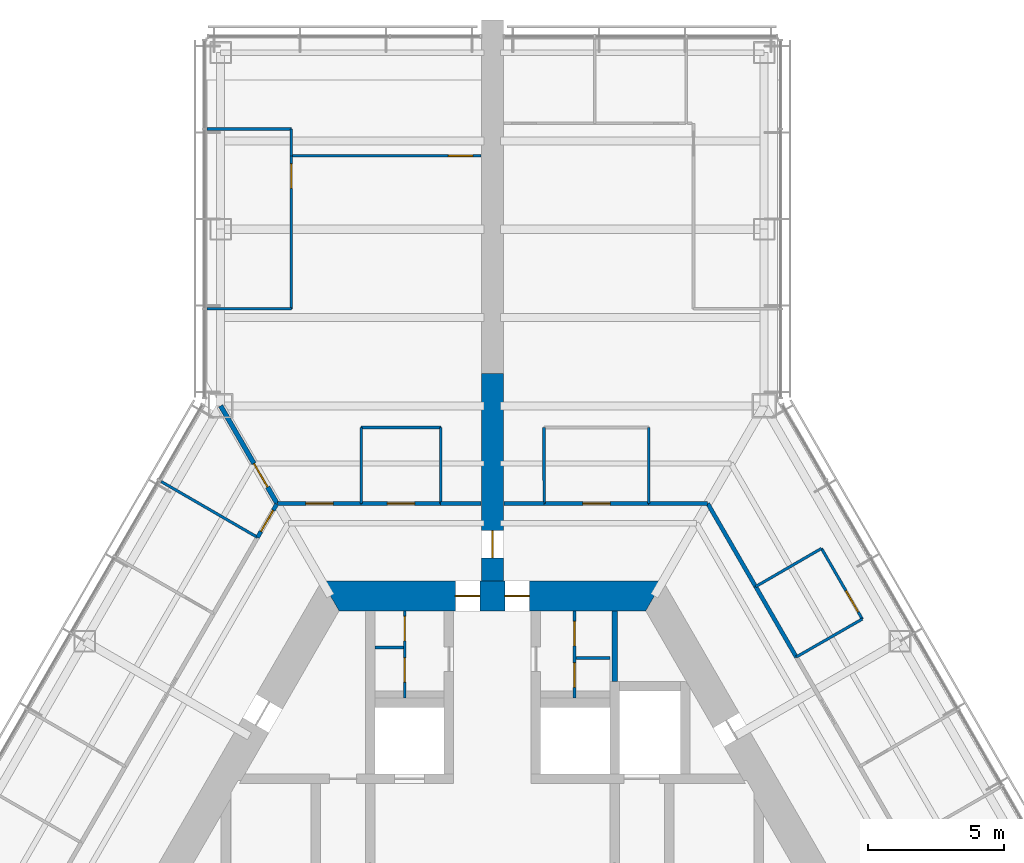
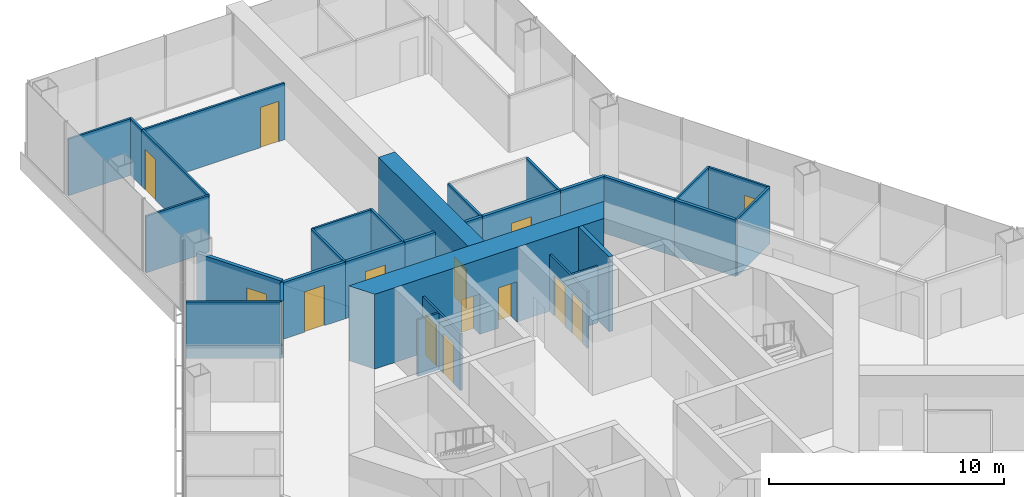
# One storey, part 15 of 19: 31 walls, 15 doors, 15 openings.
"""IFC4 building model written with IfcOpenShell, lengths in metres."""

from ifc_helpers import new_model, si_unit, direction, frame, frame_2d, origin, place, context, subcontext, project, spatial, polyline, rectangle, outline, extrude, material, layer, layer_set, type_object, element, fill, save


model = new_model("IFC4")

# Units and contexts
model_context = context("Model", 3, precision=1e-05, world=origin(), true_north=direction((0.0, 1.0)))
body_context = subcontext(model_context, "Body", "Model", "MODEL_VIEW")
ifc_project = project(units=[si_unit("LENGTHUNIT", "METRE"), si_unit("AREAUNIT", "SQUARE_METRE"), si_unit("VOLUMEUNIT", "CUBIC_METRE"), si_unit("PLANEANGLEUNIT", "RADIAN"), si_unit("MASSUNIT", "GRAM", prefix="KILO")], contexts=[model_context])

# Site, building, storey
site_placement = place(None, origin())
site = spatial("IfcSite", under=ifc_project, at=site_placement, CompositionType="ELEMENT")
building_placement = place(site_placement, origin())
building = spatial("IfcBuilding", under=site, at=building_placement, Name="Kasaneha Research Tower", CompositionType="ELEMENT")
storey_placement = place(building_placement, frame((0.0, 0.0, 104.10009765625)))
storey = spatial("IfcBuildingStorey", under=building, at=storey_placement, Name="L26", CompositionType="ELEMENT", Elevation=104.10009765625)

# Wall, openings, doors
ifc_material_1 = material(Name="Concrete Fc80", Category="concrete")
ifc_layer_1 = layer(ifc_material_1, 1.10009765625)
ifc_layer_set_1 = layer_set([ifc_layer_1], Name="Core wall 1100 Fc80")
wall_type_1 = type_object("IfcWallType", Name="Core wall 1100 Fc80", PredefinedType="SHEAR", material=ifc_layer_set_1)
wall_1_placement = place(storey_placement, frame((5.961181640625, 10.324951171875, 0.0), z_axis=(0.0, 0.0, 1.0), x_axis=(-1.0, 0.0, 0.0)))
wall_1 = element("IfcWall", 1, at=wall_1_placement, inside=storey, type_object=wall_type_1, Name="Core wall 090 L26", PredefinedType="SHEAR", context=body_context, shape_type="SweptSolid", body=[
    extrude(outline(polyline([(-0.317626953125, -0.550048828125), (4.5986328125, -0.550048828125), (5.49853515625, -0.550048828125), (6.423583984375, -0.550048828125), (7.323486328125, -0.550048828125), (12.239990234375, -0.550048828125), (11.604736328125, 0.550048828125), (7.323486328125, 0.550048828125), (6.423583984375, 0.550048828125), (5.49853515625, 0.550048828125), (4.5986328125, 0.550048828125), (0.317626953125, 0.550048828125), (-0.317626953125, -0.550048828125)])), origin(), (0.0, 0.0, 1.0), 3.89990234375),
])
opening_1_placement = place(wall_1_placement, frame((6.423583984375, 0.0, 0.0)))
opening_1 = element("IfcOpeningElement", 2, at=opening_1_placement, cuts=wall_1, Name="Opening L26-D01", PredefinedType="OPENING", context=body_context, shape_type="SweptSolid", body=[
    extrude(rectangle(XDim=0.89990234375, YDim=2.10009765625, at=frame_2d((0.449951171875, 1.050048828125))), frame((0.0, 0.56005859375, 0.0), z_axis=(0.0, -1.0, 0.0), x_axis=(1.0, 0.0, 0.0)), (0.0, 0.0, 1.0), 1.1201171875),
])
opening_2_placement = place(wall_1_placement, frame((4.5986328125, 0.0, 0.0)))
opening_2 = element("IfcOpeningElement", 3, at=opening_2_placement, cuts=wall_1, Name="Opening L26-D02", PredefinedType="OPENING", context=body_context, shape_type="SweptSolid", body=[
    extrude(rectangle(XDim=0.89990234375, YDim=2.10009765625, at=frame_2d((0.449951171875, 1.050048828125))), frame((0.0, 0.56005859375, 0.0), z_axis=(0.0, -1.0, 0.0), x_axis=(1.0, 0.0, 0.0)), (0.0, 0.0, 1.0), 1.1201171875),
])
ifc_material_2 = material(Name="Steel", Category="steel")
door_type_1 = type_object("IfcDoorType", Name="Toilet door FD20 900x2100", OperationType="NOTDEFINED", PredefinedType="DOOR", material=ifc_material_2)
door_1_placement = place(opening_1_placement, origin())
door_1 = element("IfcDoor", 4, at=door_1_placement, inside=storey, type_object=door_type_1, Name="Core door north 1 L26-D01", OperationType="SINGLE_SWING_RIGHT", OverallHeight=2.10009765625, OverallWidth=0.89990234375, PredefinedType="DOOR", context=body_context, shape_type="SweptSolid", body=[
    extrude(rectangle(XDim=0.89990234375, YDim=2.10009765625, at=frame_2d((0.449951171875, 1.050048828125))), frame((0.0, 0.02490234375, 0.0), z_axis=(0.0, -1.0, 0.0), x_axis=(1.0, 0.0, 0.0)), (0.0, 0.0, 1.0), 0.050048828125),
])
fill(opening_1, door_1)
door_2_placement = place(opening_2_placement, origin())
door_2 = element("IfcDoor", 5, at=door_2_placement, inside=storey, type_object=door_type_1, Name="Core door north 2 L26-D02", OperationType="SINGLE_SWING_LEFT", OverallHeight=2.10009765625, OverallWidth=0.89990234375, PredefinedType="DOOR", context=body_context, shape_type="SweptSolid", body=[
    extrude(rectangle(XDim=0.89990234375, YDim=2.10009765625, at=frame_2d((0.449951171875, 1.050048828125))), frame((0.0, 0.02490234375, 0.0), z_axis=(0.0, -1.0, 0.0), x_axis=(1.0, 0.0, 0.0)), (0.0, 0.0, 1.0), 0.050048828125),
])
fill(opening_2, door_2)

ifc_material_3 = material(Name="Gypsum board on steel studs, one layer each side", Category="steel")
ifc_layer_2 = layer(ifc_material_3, 0.10009765625)
ifc_layer_set_2 = layer_set([ifc_layer_2], Name="Office partition 100")
wall_type_2 = type_object("IfcWallType", Name="Office partition 100", PredefinedType="PARTITIONING", material=ifc_layer_set_2)
wall_2_placement = place(storey_placement, frame((-3.22509765625, 6.574951171875, 0.0), z_axis=(0.0, 0.0, 1.0), x_axis=(0.0, 1.0, 0.0)))
wall_2 = element("IfcWall", 6, at=wall_2_placement, inside=storey, type_object=wall_type_2, Name="Office partition TBM1 L26", PredefinedType="PARTITIONING", context=body_context, shape_type="SweptSolid", body=[
    extrude(rectangle(XDim=3.199951171875, YDim=0.10009765625, at=frame_2d((1.60009765625, 0.0))), origin(), (0.0, 0.0, 1.0), 2.949951171875),
])
opening_3_placement = place(wall_2_placement, frame((0.574951171875, 0.0, 0.0)))
opening_3 = element("IfcOpeningElement", 7, at=opening_3_placement, cuts=wall_2, Name="Opening L26-D20", PredefinedType="OPENING", context=body_context, shape_type="SweptSolid", body=[
    extrude(rectangle(XDim=0.89990234375, YDim=2.10009765625, at=frame_2d((0.449951171875, 1.050048828125))), frame((0.0, 0.06005859375, 0.0), z_axis=(0.0, -1.0, 0.0), x_axis=(1.0, 0.0, 0.0)), (0.0, 0.0, 1.0), 0.1201171875),
])
opening_4_placement = place(wall_2_placement, frame((2.10009765625, 0.0, 0.0)))
opening_4 = element("IfcOpeningElement", 8, at=opening_4_placement, cuts=wall_2, Name="Opening L26-D21", PredefinedType="OPENING", context=body_context, shape_type="SweptSolid", body=[
    extrude(rectangle(XDim=0.89990234375, YDim=2.10009765625, at=frame_2d((0.449951171875, 1.050048828125))), frame((0.0, 0.06005859375, 0.0), z_axis=(0.0, -1.0, 0.0), x_axis=(1.0, 0.0, 0.0)), (0.0, 0.0, 1.0), 0.1201171875),
])
ifc_material_4 = material(Name="Steel", Category="steel")
door_type_2 = type_object("IfcDoorType", Name="Toilet lobby door FD30 900x2100", OperationType="NOTDEFINED", PredefinedType="DOOR", material=ifc_material_4)
door_3_placement = place(opening_3_placement, origin())
door_3 = element("IfcDoor", 9, at=door_3_placement, inside=storey, type_object=door_type_2, Name="Men's WC door L26-D20", OperationType="SINGLE_SWING_RIGHT", OverallHeight=2.10009765625, OverallWidth=0.89990234375, PredefinedType="DOOR", context=body_context, shape_type="SweptSolid", body=[
    extrude(rectangle(XDim=0.89990234375, YDim=2.10009765625, at=frame_2d((0.449951171875, 1.050048828125))), frame((0.0, 0.02490234375, 0.0), z_axis=(0.0, -1.0, 0.0), x_axis=(1.0, 0.0, 0.0)), (0.0, 0.0, 1.0), 0.050048828125),
])
fill(opening_3, door_3)
door_4_placement = place(opening_4_placement, origin())
door_4 = element("IfcDoor", 10, at=door_4_placement, inside=storey, type_object=door_type_2, Name="Cleaner's store door L26-D21", OperationType="SINGLE_SWING_RIGHT", OverallHeight=2.10009765625, OverallWidth=0.89990234375, PredefinedType="DOOR", context=body_context, shape_type="SweptSolid", body=[
    extrude(rectangle(XDim=0.89990234375, YDim=2.10009765625, at=frame_2d((0.449951171875, 1.050048828125))), frame((0.0, 0.02490234375, 0.0), z_axis=(0.0, -1.0, 0.0), x_axis=(1.0, 0.0, 0.0)), (0.0, 0.0, 1.0), 0.050048828125),
])
fill(opening_4, door_4)

# Wall
wall_3_placement = place(storey_placement, frame((-3.27490234375, 8.425048828125, 0.0), z_axis=(0.0, 0.0, 1.0), x_axis=(-1.0, 0.0, 0.0)))
element("IfcWall", 11, at=wall_3_placement, inside=storey, type_object=wall_type_2, Name="Office partition TBM2 L26", PredefinedType="PARTITIONING", context=body_context, shape_type="SweptSolid", body=[
    extrude(rectangle(XDim=1.050048828125, YDim=0.10009765625, at=frame_2d((0.52490234375, 0.0))), origin(), (0.0, 0.0, 1.0), 2.949951171875),
])

# Wall, openings, doors
wall_4_placement = place(storey_placement, frame((3.02490234375, 6.574951171875, 0.0), z_axis=(0.0, 0.0, 1.0), x_axis=(0.0, 1.0, 0.0)))
wall_4 = element("IfcWall", 12, at=wall_4_placement, inside=storey, type_object=wall_type_2, Name="Office partition TBF1 L26", PredefinedType="PARTITIONING", context=body_context, shape_type="SweptSolid", body=[
    extrude(rectangle(XDim=3.199951171875, YDim=0.10009765625, at=frame_2d((1.60009765625, 0.0))), origin(), (0.0, 0.0, 1.0), 2.949951171875),
])
opening_5_placement = place(wall_4_placement, frame((0.385009765625, 0.0, 0.0)))
opening_5 = element("IfcOpeningElement", 13, at=opening_5_placement, cuts=wall_4, Name="Opening L26-D22", PredefinedType="OPENING", context=body_context, shape_type="SweptSolid", body=[
    extrude(rectangle(XDim=0.89990234375, YDim=2.10009765625, at=frame_2d((0.449951171875, 1.050048828125))), frame((0.0, 0.06005859375, 0.0), z_axis=(0.0, -1.0, 0.0), x_axis=(1.0, 0.0, 0.0)), (0.0, 0.0, 1.0), 0.1201171875),
])
opening_6_placement = place(wall_4_placement, frame((1.909912109375, 0.0, 0.0)))
opening_6 = element("IfcOpeningElement", 14, at=opening_6_placement, cuts=wall_4, Name="Opening L26-D23", PredefinedType="OPENING", context=body_context, shape_type="SweptSolid", body=[
    extrude(rectangle(XDim=0.89990234375, YDim=2.10009765625, at=frame_2d((0.449951171875, 1.050048828125))), frame((0.0, 0.06005859375, 0.0), z_axis=(0.0, -1.0, 0.0), x_axis=(1.0, 0.0, 0.0)), (0.0, 0.0, 1.0), 0.1201171875),
])
door_5_placement = place(opening_5_placement, origin())
door_5 = element("IfcDoor", 15, at=door_5_placement, inside=storey, type_object=door_type_2, Name="Women's WC door L26-D22", OperationType="SINGLE_SWING_RIGHT", OverallHeight=2.10009765625, OverallWidth=0.89990234375, PredefinedType="DOOR", context=body_context, shape_type="SweptSolid", body=[
    extrude(rectangle(XDim=0.89990234375, YDim=2.10009765625, at=frame_2d((0.449951171875, 1.050048828125))), frame((0.0, 0.02490234375, 0.0), z_axis=(0.0, -1.0, 0.0), x_axis=(1.0, 0.0, 0.0)), (0.0, 0.0, 1.0), 0.050048828125),
])
fill(opening_5, door_5)
door_6_placement = place(opening_6_placement, origin())
door_6 = element("IfcDoor", 16, at=door_6_placement, inside=storey, type_object=door_type_2, Name="Shower room door L26-D23", OperationType="SINGLE_SWING_RIGHT", OverallHeight=2.10009765625, OverallWidth=0.89990234375, PredefinedType="DOOR", context=body_context, shape_type="SweptSolid", body=[
    extrude(rectangle(XDim=0.89990234375, YDim=2.10009765625, at=frame_2d((0.449951171875, 1.050048828125))), frame((0.0, 0.02490234375, 0.0), z_axis=(0.0, -1.0, 0.0), x_axis=(1.0, 0.0, 0.0)), (0.0, 0.0, 1.0), 0.050048828125),
])
fill(opening_6, door_6)

# Walls
wall_5_placement = place(storey_placement, frame((3.074951171875, 8.044921875, 0.0), z_axis=(0.0, 0.0, 1.0), x_axis=(1.0, 0.0, 0.0)))
element("IfcWall", 17, at=wall_5_placement, inside=storey, type_object=wall_type_2, Name="Office partition TBF2 L26", PredefinedType="PARTITIONING", context=body_context, shape_type="SweptSolid", body=[
    extrude(rectangle(XDim=1.25, YDim=0.10009765625, at=frame_2d((0.625, 0.0))), origin(), (0.0, 0.0, 1.0), 2.949951171875),
])
for number, where, z_axis, x_axis, name in (
    (18, (1.904541015625, 13.72509765625, 0.0), (0.0, 0.0, 1.0), (-0.001656781821, 0.999998627536, 0.0), "Office partition FAE10 L26"),
    (19, (5.757080078125, 16.52490234375, 0.0), (0.0, 0.0, 1.0), (-0.001656781821, -0.999998627536, 0.0), "Office partition FAE11 L26"),
):
    element("IfcWall", number, at=place(storey_placement, frame(where, z_axis=z_axis, x_axis=x_axis)), inside=storey, type_object=wall_type_2, Name=name, PredefinedType="PARTITIONING", context=body_context, shape_type="SweptSolid", body=[
        extrude(rectangle(XDim=2.7998046875, YDim=0.10009765625, at=frame_2d((1.39990234375, 0.0))), origin(), (0.0, 0.0, 1.0), 2.949951171875),
    ])
wall_6_placement = place(storey_placement, frame((9.6884765625, 10.669189453125, 0.0), z_axis=(0.0, 0.0, 1.0), x_axis=(0.865233198925, 0.501369635576, 0.0)))
element("IfcWall", 20, at=wall_6_placement, inside=storey, type_object=wall_type_2, Name="Office partition FAE12 L26", PredefinedType="PARTITIONING", context=body_context, shape_type="SweptSolid", body=[
    extrude(rectangle(XDim=2.800048828125, YDim=0.10009765625, at=frame_2d((1.39990234375, 0.0))), origin(), (0.0, 0.0, 1.0), 2.949951171875),
])

# Wall, opening, door
wall_7_placement = place(storey_placement, frame((12.111083984375, 12.072998046875, 0.0), z_axis=(0.0, 0.0, 1.0), x_axis=(0.499990139034, -0.866031096941, 0.0)))
wall_7 = element("IfcWall", 21, at=wall_7_placement, inside=storey, type_object=wall_type_2, Name="Office partition FAE13 L26", PredefinedType="PARTITIONING", context=body_context, shape_type="SweptSolid", body=[
    extrude(rectangle(XDim=3.0, YDim=0.10009765625, at=frame_2d((1.5, 0.0))), origin(), (0.0, 0.0, 1.0), 2.949951171875),
])
opening_7_placement = place(wall_7_placement, frame((1.800048828125, 0.0, 0.0)))
opening_7 = element("IfcOpeningElement", 22, at=opening_7_placement, cuts=wall_7, Name="Opening L26-D30", PredefinedType="OPENING", context=body_context, shape_type="SweptSolid", body=[
    extrude(rectangle(XDim=0.89990234375, YDim=2.10009765625, at=frame_2d((0.449951171875, 1.050048828125))), frame((0.0, 0.06005859375, 0.0), z_axis=(0.0, -1.0, 0.0), x_axis=(1.0, 0.0, 0.0)), (0.0, 0.0, 1.0), 0.1201171875),
])
ifc_material_5 = material(Name="Timber veneer", Category="wood")
door_type_3 = type_object("IfcDoorType", Name="Office door 900x2100", OperationType="SINGLE_SWING_LEFT", PredefinedType="DOOR", material=ifc_material_5)
door_7_placement = place(opening_7_placement, origin())
door_7 = element("IfcDoor", 23, at=door_7_placement, inside=storey, type_object=door_type_3, Name="Pantry door L26-D30", OperationType="SINGLE_SWING_RIGHT", OverallHeight=2.10009765625, OverallWidth=0.89990234375, PredefinedType="DOOR", context=body_context, shape_type="SweptSolid", body=[
    extrude(rectangle(XDim=0.89990234375, YDim=2.10009765625, at=frame_2d((0.449951171875, 1.050048828125))), frame((0.0, 0.02490234375, 0.0), z_axis=(0.0, -1.0, 0.0), x_axis=(1.0, 0.0, 0.0)), (0.0, 0.0, 1.0), 0.050048828125),
])
fill(opening_7, door_7)

# Walls
wall_8_placement = place(storey_placement, frame((13.611083984375, 9.474853515625, 0.0), z_axis=(0.0, 0.0, 1.0), x_axis=(-0.866833758708, -0.498597267105, 0.0)))
element("IfcWall", 24, at=wall_8_placement, inside=storey, type_object=wall_type_2, Name="Office partition FAE14 L26", PredefinedType="PARTITIONING", context=body_context, shape_type="SweptSolid", body=[
    extrude(rectangle(XDim=2.7998046875, YDim=0.10009765625, at=frame_2d((1.39990234375, 0.0))), origin(), (0.0, 0.0, 1.0), 2.949951171875),
])
wall_9_placement = place(storey_placement, frame((-4.8291015625, 16.52490234375, 0.0), z_axis=(0.0, 0.0, 1.0), x_axis=(1.0, 0.0, 0.0)))
element("IfcWall", 25, at=wall_9_placement, inside=storey, type_object=wall_type_2, Name="Office partition FAW04 L26", PredefinedType="PARTITIONING", context=body_context, shape_type="SweptSolid", body=[
    extrude(rectangle(XDim=2.92919921875, YDim=0.10009765625, at=frame_2d((1.464599609375, 0.0))), origin(), (0.0, 0.0, 1.0), 2.949951171875),
])
for number, where, z_axis, x_axis, name in (
    (26, (-4.824462890625, 13.72509765625, 0.0), (0.0, 0.0, 1.0), (-0.001656781821, 0.999998627536, 0.0), "Office partition FAW05 L26"),
    (27, (-1.89990234375, 16.52490234375, 0.0), (0.0, 0.0, 1.0), (-0.001656781821, -0.999998627536, 0.0), "Office partition FAW06 L26"),
):
    element("IfcWall", number, at=place(storey_placement, frame(where, z_axis=z_axis, x_axis=x_axis)), inside=storey, type_object=wall_type_2, Name=name, PredefinedType="PARTITIONING", context=body_context, shape_type="SweptSolid", body=[
        extrude(rectangle(XDim=2.7998046875, YDim=0.10009765625, at=frame_2d((1.39990234375, 0.0))), origin(), (0.0, 0.0, 1.0), 2.949951171875),
    ])
wall_10_placement = place(storey_placement, frame((-10.5, 27.5107421875, 0.0), z_axis=(0.0, 0.0, 1.0), x_axis=(1.0, 0.0, 0.0)))
element("IfcWall", 28, at=wall_10_placement, inside=storey, type_object=wall_type_2, Name="Office partition FAW07 L26", PredefinedType="PARTITIONING", context=body_context, shape_type="SweptSolid", body=[
    extrude(rectangle(XDim=3.10009765625, YDim=0.10009765625, at=frame_2d((1.550048828125, 0.0))), origin(), (0.0, 0.0, 1.0), 2.949951171875),
])
wall_11_placement = place(storey_placement, frame((-7.39990234375, 27.5107421875, 0.0), z_axis=(0.0, 0.0, 1.0), x_axis=(0.0, -1.0, 0.0)))
element("IfcWall", 29, at=wall_11_placement, inside=storey, type_object=wall_type_2, Name="Office partition FAW08 L26", PredefinedType="PARTITIONING", context=body_context, shape_type="SweptSolid", body=[
    extrude(rectangle(XDim=0.996337890625, YDim=0.10009765625, at=frame_2d((0.498046875, 0.0))), origin(), (0.0, 0.0, 1.0), 2.949951171875),
])
wall_12_placement = place(storey_placement, frame((-7.39990234375, 20.89111328125, 0.0), z_axis=(0.0, 0.0, 1.0), x_axis=(-1.0, 0.0, 0.0)))
element("IfcWall", 30, at=wall_12_placement, inside=storey, type_object=wall_type_2, Name="Office partition FAW09 L26", PredefinedType="PARTITIONING", context=body_context, shape_type="SweptSolid", body=[
    extrude(rectangle(XDim=3.10009765625, YDim=0.10009765625, at=frame_2d((1.550048828125, 0.0))), origin(), (0.0, 0.0, 1.0), 2.949951171875),
])

# Wall, opening, door
wall_13_placement = place(storey_placement, frame((-7.39990234375, 26.5244140625, 0.0), z_axis=(0.0, 0.0, 1.0), x_axis=(0.0, -1.0, 0.0)))
wall_13 = element("IfcWall", 31, at=wall_13_placement, inside=storey, type_object=wall_type_2, Name="Office partition FAW10 L26", PredefinedType="PARTITIONING", context=body_context, shape_type="SweptSolid", body=[
    extrude(rectangle(XDim=5.63330078125, YDim=0.10009765625, at=frame_2d((2.816650390625, 0.0))), origin(), (0.0, 0.0, 1.0), 2.949951171875),
])
opening_8_placement = place(wall_13_placement, frame((0.300048828125, 0.0, 0.0)))
opening_8 = element("IfcOpeningElement", 32, at=opening_8_placement, cuts=wall_13, Name="Opening L26-D37", PredefinedType="OPENING", context=body_context, shape_type="SweptSolid", body=[
    extrude(rectangle(XDim=0.89990234375, YDim=2.10009765625, at=frame_2d((0.449951171875, 1.050048828125))), frame((0.0, 0.06005859375, 0.0), z_axis=(0.0, -1.0, 0.0), x_axis=(1.0, 0.0, 0.0)), (0.0, 0.0, 1.0), 0.1201171875),
])
door_8_placement = place(opening_8_placement, origin())
door_8 = element("IfcDoor", 33, at=door_8_placement, inside=storey, type_object=door_type_3, Name="Manager's office door L26-D37", OperationType="SINGLE_SWING_LEFT", OverallHeight=2.10009765625, OverallWidth=0.89990234375, PredefinedType="DOOR", context=body_context, shape_type="SweptSolid", body=[
    extrude(rectangle(XDim=0.89990234375, YDim=2.10009765625, at=frame_2d((0.449951171875, 1.050048828125))), frame((0.0, 0.02490234375, 0.0), z_axis=(0.0, -1.0, 0.0), x_axis=(1.0, 0.0, 0.0)), (0.0, 0.0, 1.0), 0.050048828125),
])
fill(opening_8, door_8)

wall_14_placement = place(storey_placement, frame((-0.419921875, 26.5205078125, 0.0), z_axis=(0.0, 0.0, 1.0), x_axis=(-0.999999843393, 0.000559655724, 0.0)))
wall_14 = element("IfcWall", 34, at=wall_14_placement, inside=storey, type_object=wall_type_2, Name="Office partition FAW11 L26", PredefinedType="PARTITIONING", context=body_context, shape_type="SweptSolid", body=[
    extrude(rectangle(XDim=6.979736328125, YDim=0.10009765625, at=frame_2d((3.48974609375, 0.0))), origin(), (0.0, 0.0, 1.0), 2.949951171875),
])
opening_9_placement = place(wall_14_placement, frame((0.300048828125, 0.0, 0.0)))
opening_9 = element("IfcOpeningElement", 35, at=opening_9_placement, cuts=wall_14, Name="Opening L26-D38", PredefinedType="OPENING", context=body_context, shape_type="SweptSolid", body=[
    extrude(rectangle(XDim=0.89990234375, YDim=2.10009765625, at=frame_2d((0.449951171875, 1.050048828125))), frame((0.0, 0.06005859375, 0.0), z_axis=(0.0, -1.0, 0.0), x_axis=(1.0, 0.0, 0.0)), (0.0, 0.0, 1.0), 0.1201171875),
])
door_9_placement = place(opening_9_placement, origin())
door_9 = element("IfcDoor", 36, at=door_9_placement, inside=storey, type_object=door_type_3, Name="Meeting room door L26-D38", OperationType="SINGLE_SWING_LEFT", OverallHeight=2.10009765625, OverallWidth=0.89990234375, PredefinedType="DOOR", context=body_context, shape_type="SweptSolid", body=[
    extrude(rectangle(XDim=0.89990234375, YDim=2.10009765625, at=frame_2d((0.449951171875, 1.050048828125))), frame((0.0, 0.02490234375, 0.0), z_axis=(0.0, -1.0, 0.0), x_axis=(1.0, 0.0, 0.0)), (0.0, 0.0, 1.0), 0.050048828125),
])
fill(opening_9, door_9)

# Walls
wall_15_placement = place(storey_placement, frame((-12.1865234375, 14.533203125, 0.0), z_axis=(0.0, 0.0, 1.0), x_axis=(0.865415401406, -0.501055069837, 0.0)))
element("IfcWall", 37, at=wall_15_placement, inside=storey, type_object=wall_type_2, Name="Office partition FBN15 L26", PredefinedType="PARTITIONING", context=body_context, shape_type="SweptSolid", body=[
    extrude(rectangle(XDim=4.095458984375, YDim=0.10009765625, at=frame_2d((2.0478515625, 0.0))), origin(), (0.0, 0.0, 1.0), 2.949951171875),
])
ifc_material_6 = material(Name="Concrete block", Category="concrete")
ifc_layer_3 = layer(ifc_material_6, 0.199951171875)
ifc_layer_set_3 = layer_set([ifc_layer_3], Name="Riser enclosure wall 200")
wall_type_3 = type_object("IfcWallType", Name="Riser enclosure wall 200", PredefinedType="STANDARD", material=ifc_layer_set_3)
wall_16_placement = place(storey_placement, frame((4.5, 7.175048828125, 0.0), z_axis=(0.0, 0.0, 1.0), x_axis=(0.0, 1.0, 0.0)))
element("IfcWall", 38, at=wall_16_placement, inside=storey, type_object=wall_type_3, Name="Riser enclosure wall L26", PredefinedType="STANDARD", context=body_context, shape_type="SweptSolid", body=[
    extrude(rectangle(XDim=2.599853515625, YDim=0.199951171875, at=frame_2d((1.2998046875, 0.0))), origin(), (0.0, 0.0, 1.0), 3.89990234375),
])

# Wall, opening, door
ifc_material_7 = material(Name="Concrete Fc80", Category="concrete")
ifc_layer_4 = layer(ifc_material_7, 0.800048828125)
ifc_layer_set_4 = layer_set([ifc_layer_4], Name="Spine wall 800 Fc80")
wall_type_4 = type_object("IfcWallType", Name="Spine wall 800 Fc80", PredefinedType="SHEAR", material=ifc_layer_set_4)
wall_17_placement = place(storey_placement, frame((0.0, 10.875, 0.0), z_axis=(0.0, 0.0, 1.0), x_axis=(0.0, 1.0, 0.0)))
wall_17 = element("IfcWall", 39, at=wall_17_placement, inside=storey, type_object=wall_type_4, Name="Spine wall A L26", PredefinedType="SHEAR", context=body_context, shape_type="SweptSolid", body=[
    extrude(rectangle(XDim=7.6455078125, YDim=0.800048828125, at=frame_2d((3.82275390625, 0.0))), origin(), (0.0, 0.0, 1.0), 3.89990234375),
])
opening_10_placement = place(wall_17_placement, frame((0.85009765625, 0.0, 0.0)))
opening_10 = element("IfcOpeningElement", 40, at=opening_10_placement, cuts=wall_17, Name="Opening L26-D17", PredefinedType="OPENING", context=body_context, shape_type="SweptSolid", body=[
    extrude(rectangle(XDim=1.0, YDim=2.10009765625, at=frame_2d((0.5, 1.050048828125))), frame((0.0, 0.41015625, 0.0), z_axis=(0.0, -1.0, 0.0), x_axis=(1.0, 0.0, 0.0)), (0.0, 0.0, 1.0), 0.820068359375),
])
ifc_material_8 = material(Name="Steel", Category="steel")
door_type_4 = type_object("IfcDoorType", Name="Specified fire door FD60 1000x2100", OperationType="NOTDEFINED", PredefinedType="DOOR", material=ifc_material_8)
door_10_placement = place(opening_10_placement, origin())
door_10 = element("IfcDoor", 41, at=door_10_placement, inside=storey, type_object=door_type_4, Name="Spine doorway A L26-D17", OperationType="SINGLE_SWING_LEFT", OverallHeight=2.10009765625, OverallWidth=1.0, PredefinedType="DOOR", context=body_context, shape_type="SweptSolid", body=[
    extrude(rectangle(XDim=1.0, YDim=2.10009765625, at=frame_2d((0.5, 1.050048828125))), frame((0.0, 0.02490234375, 0.0), z_axis=(0.0, -1.0, 0.0), x_axis=(1.0, 0.0, 0.0)), (0.0, 0.0, 1.0), 0.050048828125),
])
fill(opening_10, door_10)

ifc_material_9 = material(Name="Gypsum board on steel studs, two layers each side", Category="steel")
ifc_layer_5 = layer(ifc_material_9, 0.14990234375)
ifc_layer_set_5 = layer_set([ifc_layer_5], Name="Suite partition 150")
wall_type_5 = type_object("IfcWallType", Name="Suite partition 150", PredefinedType="PARTITIONING", material=ifc_layer_set_5)
wall_18_placement = place(storey_placement, frame((1.89501953125, 13.72509765625, 0.0), z_axis=(0.0, 0.0, 1.0), x_axis=(1.0, 0.0, 0.0)))
wall_18 = element("IfcWall", 42, at=wall_18_placement, inside=storey, type_object=wall_type_5, Name="Suite partition FAE01 L26", PredefinedType="PARTITIONING", context=body_context, shape_type="SweptSolid", body=[
    extrude(rectangle(XDim=3.866943359375, YDim=0.14990234375, at=frame_2d((1.93359375, 0.0))), origin(), (0.0, 0.0, 1.0), 2.949951171875),
])
opening_11_placement = place(wall_18_placement, frame((1.43359375, 0.0, 0.0)))
opening_11 = element("IfcOpeningElement", 43, at=opening_11_placement, cuts=wall_18, Name="Opening L26-D27", PredefinedType="OPENING", context=body_context, shape_type="SweptSolid", body=[
    extrude(rectangle(XDim=1.0, YDim=2.10009765625, at=frame_2d((0.5, 1.050048828125))), frame((0.0, 0.0849609375, 0.0), z_axis=(0.0, -1.0, 0.0), x_axis=(1.0, 0.0, 0.0)), (0.0, 0.0, 1.0), 0.169921875),
])
ifc_material_10 = material(Name="Steel", Category="steel")
door_type_5 = type_object("IfcDoorType", Name="Suite entrance door FD60 1000x2100", OperationType="NOTDEFINED", PredefinedType="DOOR", material=ifc_material_10)
door_11_placement = place(opening_11_placement, origin())
door_11 = element("IfcDoor", 44, at=door_11_placement, inside=storey, type_object=door_type_5, Name="Suite entrance door L26-D27", OperationType="SINGLE_SWING_LEFT", OverallHeight=2.10009765625, OverallWidth=1.0, PredefinedType="DOOR", context=body_context, shape_type="SweptSolid", body=[
    extrude(rectangle(XDim=1.0, YDim=2.10009765625, at=frame_2d((0.5, 1.050048828125))), frame((0.0, 0.02490234375, 0.0), z_axis=(0.0, -1.0, 0.0), x_axis=(1.0, 0.0, 0.0)), (0.0, 0.0, 1.0), 0.050048828125),
])
fill(opening_11, door_11)

# Walls
wall_19_placement = place(storey_placement, frame((9.68359375, 10.67724609375, 0.0), z_axis=(0.0, 0.0, 1.0), x_axis=(0.500038395149, -0.8660032352, 0.0)))
element("IfcWall", 45, at=wall_19_placement, inside=storey, type_object=wall_type_5, Name="Suite partition FAE02 L26", PredefinedType="PARTITIONING", context=body_context, shape_type="SweptSolid", body=[
    extrude(rectangle(XDim=3.010009765625, YDim=0.14990234375, at=frame_2d((1.5048828125, 0.0))), origin(), (0.0, 0.0, 1.0), 2.949951171875),
])
wall_20_placement = place(storey_placement, frame((0.419921875, 13.72509765625, 0.0), z_axis=(0.0, 0.0, 1.0), x_axis=(1.0, 0.0, 0.0)))
element("IfcWall", 46, at=wall_20_placement, inside=storey, type_object=wall_type_5, Name="Suite partition FAE05 L26", PredefinedType="PARTITIONING", context=body_context, shape_type="SweptSolid", body=[
    extrude(rectangle(XDim=1.484619140625, YDim=0.14990234375, at=frame_2d((0.7421875, 0.0))), origin(), (0.0, 0.0, 1.0), 2.949951171875),
])
wall_21_placement = place(storey_placement, frame((5.75244140625, 13.72509765625, 0.0), z_axis=(0.0, 0.0, 1.0), x_axis=(1.0, 0.0, 0.0)))
element("IfcWall", 47, at=wall_21_placement, inside=storey, type_object=wall_type_5, Name="Suite partition FAE06 L26", PredefinedType="PARTITIONING", context=body_context, shape_type="SweptSolid", body=[
    extrude(rectangle(XDim=2.171630859375, YDim=0.14990234375, at=frame_2d((1.0859375, 0.0))), origin(), (0.0, 0.0, 1.0), 2.949951171875),
])
wall_22_placement = place(storey_placement, frame((7.924072265625, 13.72509765625, 0.0), z_axis=(0.0, 0.0, 1.0), x_axis=(0.500015913693, -0.866016215815, 0.0)))
element("IfcWall", 48, at=wall_22_placement, inside=storey, type_object=wall_type_5, Name="Suite partition FAE07 L26", PredefinedType="PARTITIONING", context=body_context, shape_type="SweptSolid", body=[
    extrude(rectangle(XDim=3.52880859375, YDim=0.14990234375, at=frame_2d((1.764404296875, 0.0))), origin(), (0.0, 0.0, 1.0), 2.949951171875),
])

# Wall, opening, door
wall_23_placement = place(storey_placement, frame((-4.833984375, 13.72509765625, 0.0), z_axis=(0.0, 0.0, 1.0), x_axis=(1.0, 0.0, 0.0)))
wall_23 = element("IfcWall", 49, at=wall_23_placement, inside=storey, type_object=wall_type_5, Name="Suite partition FAW01 L26", PredefinedType="PARTITIONING", context=body_context, shape_type="SweptSolid", body=[
    extrude(rectangle(XDim=2.93896484375, YDim=0.14990234375, at=frame_2d((1.469482421875, 0.0))), origin(), (0.0, 0.0, 1.0), 2.949951171875),
])
opening_12_placement = place(wall_23_placement, frame((0.969482421875, 0.0, 0.0)))
opening_12 = element("IfcOpeningElement", 50, at=opening_12_placement, cuts=wall_23, Name="Opening L26-D35", PredefinedType="OPENING", context=body_context, shape_type="SweptSolid", body=[
    extrude(rectangle(XDim=1.0, YDim=2.10009765625, at=frame_2d((0.5, 1.050048828125))), frame((0.0, 0.0849609375, 0.0), z_axis=(0.0, -1.0, 0.0), x_axis=(1.0, 0.0, 0.0)), (0.0, 0.0, 1.0), 0.169921875),
])
door_12_placement = place(opening_12_placement, origin())
door_12 = element("IfcDoor", 51, at=door_12_placement, inside=storey, type_object=door_type_5, Name="Suite entrance door L26-D35", OperationType="SINGLE_SWING_RIGHT", OverallHeight=2.10009765625, OverallWidth=1.0, PredefinedType="DOOR", context=body_context, shape_type="SweptSolid", body=[
    extrude(rectangle(XDim=1.0, YDim=2.10009765625, at=frame_2d((0.5, 1.050048828125))), frame((0.0, 0.02490234375, 0.0), z_axis=(0.0, -1.0, 0.0), x_axis=(1.0, 0.0, 0.0)), (0.0, 0.0, 1.0), 0.050048828125),
])
fill(opening_12, door_12)

wall_24_placement = place(storey_placement, frame((-7.90087890625, 13.72509765625, 0.0), z_axis=(0.0, 0.0, 1.0), x_axis=(1.0, 0.0, 0.0)))
wall_24 = element("IfcWall", 52, at=wall_24_placement, inside=storey, type_object=wall_type_5, Name="Suite partition FAW02 L26", PredefinedType="PARTITIONING", context=body_context, shape_type="SweptSolid", body=[
    extrude(rectangle(XDim=3.076416015625, YDim=0.14990234375, at=frame_2d((1.5380859375, 0.0))), origin(), (0.0, 0.0, 1.0), 2.949951171875),
])
opening_13_placement = place(wall_24_placement, frame((1.0380859375, 0.0, 0.0)))
opening_13 = element("IfcOpeningElement", 53, at=opening_13_placement, cuts=wall_24, Name="Opening L26-D36", PredefinedType="OPENING", context=body_context, shape_type="SweptSolid", body=[
    extrude(rectangle(XDim=1.0, YDim=2.10009765625, at=frame_2d((0.5, 1.050048828125))), frame((0.0, 0.0849609375, 0.0), z_axis=(0.0, -1.0, 0.0), x_axis=(1.0, 0.0, 0.0)), (0.0, 0.0, 1.0), 0.169921875),
])
door_13_placement = place(opening_13_placement, origin())
door_13 = element("IfcDoor", 54, at=door_13_placement, inside=storey, type_object=door_type_5, Name="Suite entrance door L26-D36", OperationType="SINGLE_SWING_LEFT", OverallHeight=2.10009765625, OverallWidth=1.0, PredefinedType="DOOR", context=body_context, shape_type="SweptSolid", body=[
    extrude(rectangle(XDim=1.0, YDim=2.10009765625, at=frame_2d((0.5, 1.050048828125))), frame((0.0, 0.02490234375, 0.0), z_axis=(0.0, -1.0, 0.0), x_axis=(1.0, 0.0, 0.0)), (0.0, 0.0, 1.0), 0.050048828125),
])
fill(opening_13, door_13)

# Wall
wall_25_placement = place(storey_placement, frame((-1.904541015625, 13.72509765625, 0.0), z_axis=(0.0, 0.0, 1.0), x_axis=(1.0, 0.0, 0.0)))
element("IfcWall", 55, at=wall_25_placement, inside=storey, type_object=wall_type_5, Name="Suite partition FAW03 L26", PredefinedType="PARTITIONING", context=body_context, shape_type="SweptSolid", body=[
    extrude(rectangle(XDim=1.484619140625, YDim=0.14990234375, at=frame_2d((0.7421875, 0.0))), origin(), (0.0, 0.0, 1.0), 2.949951171875),
])

# Wall, opening, door
wall_26_placement = place(storey_placement, frame((-8.642333984375, 12.481201171875, 0.0), z_axis=(0.0, 0.0, 1.0), x_axis=(0.499966713218, 0.866044621064, 0.0)))
wall_26 = element("IfcWall", 56, at=wall_26_placement, inside=storey, type_object=wall_type_5, Name="Suite partition FBN03 L26", PredefinedType="PARTITIONING", context=body_context, shape_type="SweptSolid", body=[
    extrude(rectangle(XDim=1.4130859375, YDim=0.14990234375, at=frame_2d((0.70654296875, 0.0))), origin(), (0.0, 0.0, 1.0), 2.949951171875),
])
opening_14_placement = place(wall_26_placement, frame((0.25, 0.0, 0.0)))
opening_14 = element("IfcOpeningElement", 57, at=opening_14_placement, cuts=wall_26, Name="Opening L26-D39", PredefinedType="OPENING", context=body_context, shape_type="SweptSolid", body=[
    extrude(rectangle(XDim=0.89990234375, YDim=2.10009765625, at=frame_2d((0.449951171875, 1.050048828125))), frame((0.0, 0.0849609375, 0.0), z_axis=(0.0, -1.0, 0.0), x_axis=(1.0, 0.0, 0.0)), (0.0, 0.0, 1.0), 0.169921875),
])
door_14_placement = place(opening_14_placement, origin())
door_14 = element("IfcDoor", 58, at=door_14_placement, inside=storey, type_object=door_type_3, Name="Workroom door L26-D39", OperationType="SINGLE_SWING_LEFT", OverallHeight=2.10009765625, OverallWidth=0.89990234375, PredefinedType="DOOR", context=body_context, shape_type="SweptSolid", body=[
    extrude(rectangle(XDim=0.89990234375, YDim=2.10009765625, at=frame_2d((0.449951171875, 1.050048828125))), frame((0.0, 0.02490234375, 0.0), z_axis=(0.0, -1.0, 0.0), x_axis=(1.0, 0.0, 0.0)), (0.0, 0.0, 1.0), 0.050048828125),
])
fill(opening_14, door_14)

ifc_material_11 = material(Name="Gypsum board on steel studs, two layers each side", Category="steel")
ifc_layer_6 = layer(ifc_material_11, 0.175048828125)
ifc_layer_set_6 = layer_set([ifc_layer_6], Name="Tenancy fire partition 175")
wall_type_6 = type_object("IfcWallType", Name="Tenancy fire partition 175", PredefinedType="PARTITIONING", material=ifc_layer_set_6)
wall_27_placement = place(storey_placement, frame((-7.924072265625, 13.72509765625, 0.0), z_axis=(0.0, 0.0, 1.0), x_axis=(-0.500015991208, 0.866016171059, 0.0)))
wall_27 = element("IfcWall", 59, at=wall_27_placement, inside=storey, type_object=wall_type_6, Name="Tenancy fire partition T120 L26", PredefinedType="PARTITIONING", context=body_context, shape_type="SweptSolid", body=[
    extrude(rectangle(XDim=4.151611328125, YDim=0.175048828125, at=frame_2d((2.07568359375, 0.0))), origin(), (0.0, 0.0, 1.0), 3.0498046875),
])
opening_15_placement = place(wall_27_placement, frame((0.699951171875, 0.0, 0.0)))
opening_15 = element("IfcOpeningElement", 60, at=opening_15_placement, cuts=wall_27, Name="Opening L26-D25", PredefinedType="OPENING", context=body_context, shape_type="SweptSolid", body=[
    extrude(rectangle(XDim=1.0, YDim=2.10009765625, at=frame_2d((0.5, 1.050048828125))), frame((0.0, 0.09765625, 0.0), z_axis=(0.0, -1.0, 0.0), x_axis=(1.0, 0.0, 0.0)), (0.0, 0.0, 1.0), 0.195068359375),
])
door_15_placement = place(opening_15_placement, origin())
door_15 = element("IfcDoor", 61, at=door_15_placement, inside=storey, type_object=door_type_5, Name="Connecting door L26-D25", OperationType="SINGLE_SWING_LEFT", OverallHeight=2.10009765625, OverallWidth=1.0, PredefinedType="DOOR", context=body_context, shape_type="SweptSolid", body=[
    extrude(rectangle(XDim=1.0, YDim=2.10009765625, at=frame_2d((0.5, 1.050048828125))), frame((0.0, 0.02490234375, 0.0), z_axis=(0.0, -1.0, 0.0), x_axis=(1.0, 0.0, 0.0)), (0.0, 0.0, 1.0), 0.050048828125),
])
fill(opening_15, door_15)

save(model, "model.ifc")
